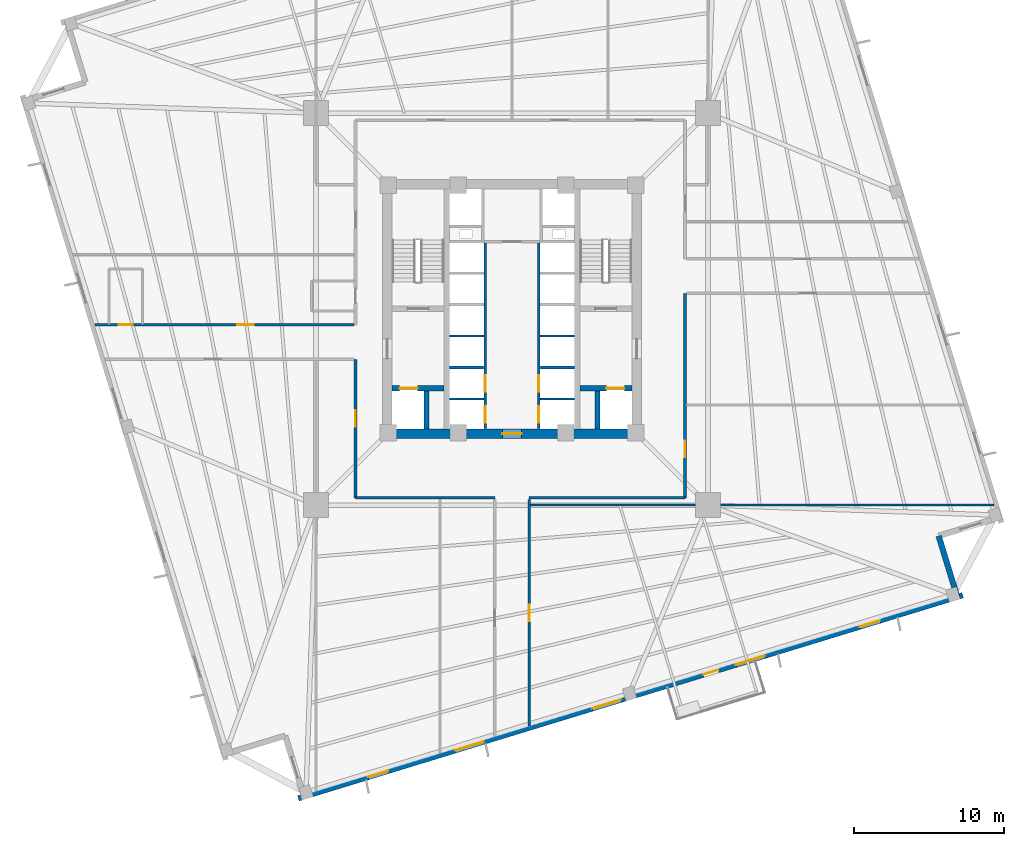
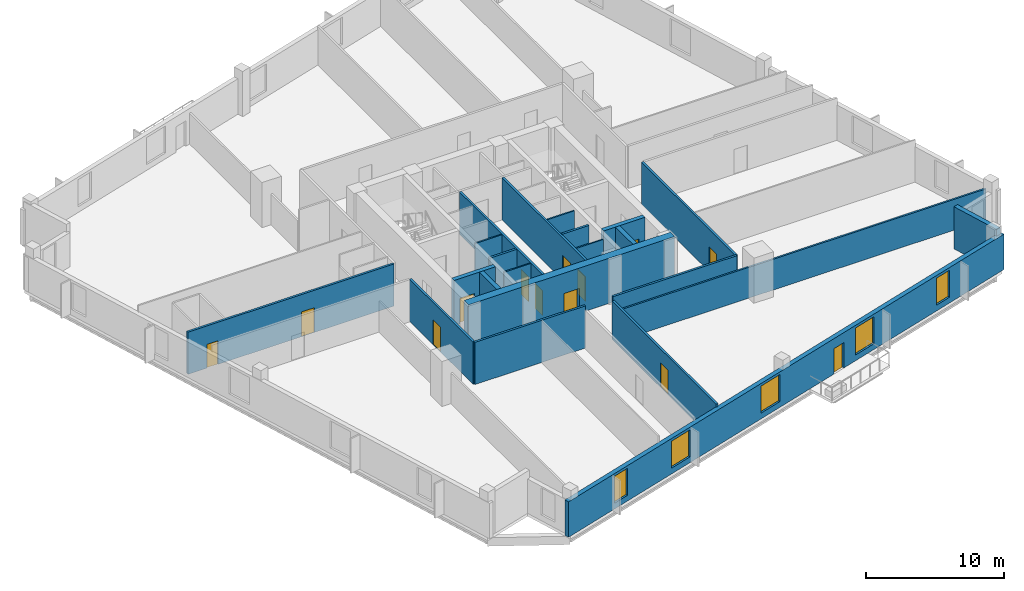
# One storey, part 3 of 8: 22 walls, 13 doors, 5 windows, 18 openings.
"""IFC4 building model written with IfcOpenShell, lengths in metres."""

from ifc_helpers import new_model, si_unit, direction, frame, frame_2d, origin, place, context, subcontext, project, spatial, rectangle, extrude, source, transform, mapped, material, layer, layer_set, type_object, element, fill, save


model = new_model("IFC4")

# Units and contexts
model_context = context("Model", 3, precision=1e-05, world=origin(), true_north=direction((0.0, 1.0)))
body_context = subcontext(model_context, "Body", "Model", "MODEL_VIEW")
ifc_project = project(units=[si_unit("LENGTHUNIT", "METRE"), si_unit("AREAUNIT", "SQUARE_METRE"), si_unit("VOLUMEUNIT", "CUBIC_METRE"), si_unit("PLANEANGLEUNIT", "RADIAN"), si_unit("MASSUNIT", "GRAM", prefix="KILO"), si_unit("THERMODYNAMICTEMPERATUREUNIT", "KELVIN")], contexts=[model_context])

# Site, building, storey
site_placement = place(None, origin())
site = spatial("IfcSite", under=ifc_project, at=site_placement, CompositionType="ELEMENT")
building_placement = place(site_placement, origin())
building = spatial("IfcBuilding", under=site, at=building_placement, Name="Kosmvard Interchange Tower", CompositionType="ELEMENT")
storey_placement = place(building_placement, frame((0.0, 0.0, 123.199951171875)))
storey = spatial("IfcBuildingStorey", under=building, at=storey_placement, Name="L29", CompositionType="ELEMENT", Elevation=123.199951171875)

# Wall
ifc_material_1 = material(Name="Acoustic gypsum partition system")
ifc_layer_1 = layer(ifc_material_1, 0.14990234375, Name="Acoustic gypsum partition system")
ifc_layer_set_1 = layer_set([ifc_layer_1], Name="Acoustic gypsum partition system")
wall_type_1 = type_object("IfcWallType", Name="Acoustic Suite & Meeting Partition 150", PredefinedType="PARTITIONING", material=ifc_layer_set_1)
wall_1_placement = place(storey_placement, frame((1.2451171875, -13.0810546875, 0.0), z_axis=(0.0, 0.0, 1.0), x_axis=(1.0, 0.0, 0.0)))
element("IfcWall", 1, at=wall_1_placement, inside=storey, type_object=wall_type_1, Name="L29 Room Partition 09.1", PredefinedType="PARTITIONING", context=body_context, shape_type="SweptSolid", body=[
    extrude(rectangle(XDim=30.919921875, YDim=0.14990234375, at=frame_2d((15.4599609375, 0.0))), origin(), (0.0, 0.0, 1.0), 2.73193359375),
])

# Wall, openings, doors
ifc_material_2 = material(Name="Fire-rated gypsum partition system")
ifc_layer_2 = layer(ifc_material_2, 0.179931640625, Name="Fire-rated gypsum partition system")
ifc_layer_set_2 = layer_set([ifc_layer_2], Name="Fire-rated gypsum partition system")
wall_type_2 = type_object("IfcWallType", Name="Corridor & Hotel Compartment Partition 180", PredefinedType="PARTITIONING", material=ifc_layer_set_2)
wall_2_placement = place(storey_placement, frame((-1.7900390625, -7.97998046875, 0.0), z_axis=(0.0, 0.0, 1.0), x_axis=(0.0, 1.0, 0.0)))
wall_2 = element("IfcWall", 2, at=wall_2_placement, inside=storey, type_object=wall_type_2, Name="L29 West Lift Bank Front Wall", PredefinedType="PARTITIONING", context=body_context, shape_type="SweptSolid", body=[
    extrude(rectangle(XDim=12.3798828125, YDim=0.179931640625, at=frame_2d((6.18994140625, 0.0))), origin(), (0.0, 0.0, 1.0), 3.739990234375),
])
opening_1_placement = place(wall_2_placement, frame((0.39990234375, 0.0, 0.0)))
opening_1 = element("IfcOpeningElement", 3, at=opening_1_placement, cuts=wall_2, Name="Opening LD-PL-L1-L29", PredefinedType="OPENING", context=body_context, shape_type="SweptSolid", body=[
    extrude(rectangle(XDim=1.10009765625, YDim=2.199951171875, at=frame_2d((0.550048828125, 1.10009765625))), frame((0.0, 0.10009765625, 0.0), z_axis=(0.0, -1.0, 0.0), x_axis=(1.0, 0.0, 0.0)), (0.0, 0.0, 1.0), 0.199951171875),
])
opening_2_placement = place(wall_2_placement, frame((2.4599609375, 0.0, 0.0)))
opening_2 = element("IfcOpeningElement", 4, at=opening_2_placement, cuts=wall_2, Name="Opening LD-PL-L2-L29", PredefinedType="OPENING", context=body_context, shape_type="SweptSolid", body=[
    extrude(rectangle(XDim=1.10009765625, YDim=2.199951171875, at=frame_2d((0.550048828125, 1.10009765625))), frame((0.0, 0.10009765625, 0.0), z_axis=(0.0, -1.0, 0.0), x_axis=(1.0, 0.0, 0.0)), (0.0, 0.0, 1.0), 0.199951171875),
])
ifc_material_3 = material(Name="Brushed stainless steel sliding leaf", Category="steel")
door_type_1 = type_object("IfcDoorType", Name="Passenger Lift Sliding Landing Door 1100x2200 EI60", OperationType="DOUBLE_DOOR_SLIDING", PredefinedType="DOOR", material=ifc_material_3)
shared_shape_1 = source(origin(), body_context, "Body", "SweptSolid", [
    extrude(rectangle(XDim=1.10009765625, YDim=2.199951171875, at=frame_2d((0.550048828125, 1.10009765625))), frame((0.0, 0.02490234375, 0.0), z_axis=(0.0, -1.0, 0.0), x_axis=(1.0, 0.0, 0.0)), (0.0, 0.0, 1.0), 0.050048828125),
])
door_1_placement = place(opening_1_placement, frame((1.10009765625, 0.0, 0.0), z_axis=(0.0, 0.0, 1.0), x_axis=(-1.0, 0.0, 0.0)))
door_1 = element("IfcDoor", 5, at=door_1_placement, inside=storey, type_object=door_type_1, Name="Lift PL-L1 Landing Door L29", OperationType="DOUBLE_DOOR_SLIDING", OverallHeight=2.199951171875, OverallWidth=1.10009765625, PredefinedType="DOOR", context=body_context, shape_type="MappedRepresentation", body=[
    mapped(shared_shape_1, transform((0.0, 0.0, 0.0), scale=1.0)),
])
fill(opening_1, door_1)
door_2_placement = place(opening_2_placement, frame((1.10009765625, 0.0, 0.0), z_axis=(0.0, 0.0, 1.0), x_axis=(-1.0, 0.0, 0.0)))
door_2 = element("IfcDoor", 6, at=door_2_placement, inside=storey, type_object=door_type_1, Name="Lift PL-L2 Landing Door L29", OperationType="DOUBLE_DOOR_SLIDING", OverallHeight=2.199951171875, OverallWidth=1.10009765625, PredefinedType="DOOR", context=body_context, shape_type="MappedRepresentation", body=[
    mapped(shared_shape_1, transform((0.0, 0.0, 0.0), scale=1.0)),
])
fill(opening_2, door_2)

wall_3_placement = place(storey_placement, frame((1.7900390625, -7.97998046875, 0.0), z_axis=(0.0, 0.0, 1.0), x_axis=(0.0, 1.0, 0.0)))
wall_3 = element("IfcWall", 7, at=wall_3_placement, inside=storey, type_object=wall_type_2, Name="L29 East Lift Bank Front Wall", PredefinedType="PARTITIONING", context=body_context, shape_type="SweptSolid", body=[
    extrude(rectangle(XDim=12.3798828125, YDim=0.179931640625, at=frame_2d((6.18994140625, 0.0))), origin(), (0.0, 0.0, 1.0), 3.739990234375),
])
opening_3_placement = place(wall_3_placement, frame((0.39990234375, 0.0, 0.0)))
opening_3 = element("IfcOpeningElement", 8, at=opening_3_placement, cuts=wall_3, Name="Opening LD-PL-L3-L29", PredefinedType="OPENING", context=body_context, shape_type="SweptSolid", body=[
    extrude(rectangle(XDim=1.10009765625, YDim=2.199951171875, at=frame_2d((0.550048828125, 1.10009765625))), frame((0.0, 0.10009765625, 0.0), z_axis=(0.0, -1.0, 0.0), x_axis=(1.0, 0.0, 0.0)), (0.0, 0.0, 1.0), 0.199951171875),
])
opening_4_placement = place(wall_3_placement, frame((2.4599609375, 0.0, 0.0)))
opening_4 = element("IfcOpeningElement", 9, at=opening_4_placement, cuts=wall_3, Name="Opening LD-PL-L4-L29", PredefinedType="OPENING", context=body_context, shape_type="SweptSolid", body=[
    extrude(rectangle(XDim=1.10009765625, YDim=2.199951171875, at=frame_2d((0.550048828125, 1.10009765625))), frame((0.0, 0.10009765625, 0.0), z_axis=(0.0, -1.0, 0.0), x_axis=(1.0, 0.0, 0.0)), (0.0, 0.0, 1.0), 0.199951171875),
])
door_3_placement = place(opening_3_placement, origin())
door_3 = element("IfcDoor", 10, at=door_3_placement, inside=storey, type_object=door_type_1, Name="Lift PL-L3 Landing Door L29", OperationType="DOUBLE_DOOR_SLIDING", OverallHeight=2.199951171875, OverallWidth=1.10009765625, PredefinedType="DOOR", context=body_context, shape_type="MappedRepresentation", body=[
    mapped(shared_shape_1, transform((0.0, 0.0, 0.0), scale=1.0)),
])
fill(opening_3, door_3)
door_4_placement = place(opening_4_placement, origin())
door_4 = element("IfcDoor", 11, at=door_4_placement, inside=storey, type_object=door_type_1, Name="Lift PL-L4 Landing Door L29", OperationType="DOUBLE_DOOR_SLIDING", OverallHeight=2.199951171875, OverallWidth=1.10009765625, PredefinedType="DOOR", context=body_context, shape_type="MappedRepresentation", body=[
    mapped(shared_shape_1, transform((0.0, 0.0, 0.0), scale=1.0)),
])
fill(opening_4, door_4)

# Walls
wall_4_placement = place(storey_placement, frame((-10.449951171875, -12.60009765625, 0.0), z_axis=(0.0, 0.0, 1.0), x_axis=(1.0, 0.0, 0.0)))
element("IfcWall", 12, at=wall_4_placement, inside=storey, type_object=wall_type_2, Name="L29 Corridor Wall CSW", PredefinedType="PARTITIONING", context=body_context, shape_type="SweptSolid", body=[
    extrude(rectangle(XDim=9.300048828125, YDim=0.179931640625, at=frame_2d((4.64990234375, 0.0))), origin(), (0.0, 0.0, 1.0), 3.739990234375),
])
wall_5_placement = place(storey_placement, frame((1.14990234375, -12.60009765625, 0.0), z_axis=(0.0, 0.0, 1.0), x_axis=(1.0, 0.0, 0.0)))
element("IfcWall", 13, at=wall_5_placement, inside=storey, type_object=wall_type_2, Name="L29 Corridor Wall CSE", PredefinedType="PARTITIONING", context=body_context, shape_type="SweptSolid", body=[
    extrude(rectangle(XDim=10.400146484375, YDim=0.179931640625, at=frame_2d((5.2001953125, 0.0))), origin(), (0.0, 0.0, 1.0), 3.739990234375),
])

# Wall, opening, door
wall_6_placement = place(storey_placement, frame((-10.449951171875, -12.60009765625, 0.0), z_axis=(0.0, 0.0, 1.0), x_axis=(0.0, 1.0, 0.0)))
wall_6 = element("IfcWall", 14, at=wall_6_placement, inside=storey, type_object=wall_type_2, Name="L29 Corridor Wall CWS", PredefinedType="PARTITIONING", context=body_context, shape_type="SweptSolid", body=[
    extrude(rectangle(XDim=9.25, YDim=0.179931640625, at=frame_2d((4.625, 0.0))), origin(), (0.0, 0.0, 1.0), 3.739990234375),
])
opening_5_placement = place(wall_6_placement, frame((4.735107421875, 0.0, 0.0)))
opening_5 = element("IfcOpeningElement", 15, at=opening_5_placement, cuts=wall_6, Name="Opening L29-D14", PredefinedType="OPENING", context=body_context, shape_type="SweptSolid", body=[
    extrude(rectangle(XDim=1.10009765625, YDim=2.199951171875, at=frame_2d((0.550048828125, 1.10009765625))), frame((0.0, 0.10009765625, 0.0), z_axis=(0.0, -1.0, 0.0), x_axis=(1.0, 0.0, 0.0)), (0.0, 0.0, 1.0), 0.199951171875),
])
ifc_material_4 = material(Name="Engineered oak fire-rated timber", Category="wood")
door_type_2 = type_object("IfcDoorType", Name="Office Suite Entrance Door 1100x2200 FD30S", OperationType="NOTDEFINED", PredefinedType="DOOR", material=ifc_material_4)
door_5_placement = place(opening_5_placement, origin())
door_5 = element("IfcDoor", 16, at=door_5_placement, inside=storey, type_object=door_type_2, Name="L29 Staff Pantry Door", OperationType="SINGLE_SWING_RIGHT", OverallHeight=2.199951171875, OverallWidth=1.10009765625, PredefinedType="DOOR", context=body_context, shape_type="MappedRepresentation", body=[
    mapped(shared_shape_1, transform((0.0, 0.0, 0.0), scale=1.0)),
])
fill(opening_5, door_5)

wall_7_placement = place(storey_placement, frame((11.550048828125, -12.60009765625, 0.0), z_axis=(0.0, 0.0, 1.0), x_axis=(0.0, 1.0, 0.0)))
wall_7 = element("IfcWall", 17, at=wall_7_placement, inside=storey, type_object=wall_type_2, Name="L29 Corridor Wall CES", PredefinedType="PARTITIONING", context=body_context, shape_type="SweptSolid", body=[
    extrude(rectangle(XDim=13.650146484375, YDim=0.179931640625, at=frame_2d((6.8251953125, 0.0))), origin(), (0.0, 0.0, 1.0), 3.739990234375),
])
opening_6_placement = place(wall_7_placement, frame((2.71435546875, 0.0, 0.0)))
opening_6 = element("IfcOpeningElement", 18, at=opening_6_placement, cuts=wall_7, Name="Opening L29-D11", PredefinedType="OPENING", context=body_context, shape_type="SweptSolid", body=[
    extrude(rectangle(XDim=1.10009765625, YDim=2.199951171875, at=frame_2d((0.550048828125, 1.10009765625))), frame((0.0, 0.10009765625, 0.0), z_axis=(0.0, -1.0, 0.0), x_axis=(1.0, 0.0, 0.0)), (0.0, 0.0, 1.0), 0.199951171875),
])
door_6_placement = place(opening_6_placement, frame((1.10009765625, 0.0, 0.0), z_axis=(0.0, 0.0, 1.0), x_axis=(-1.0, 0.0, 0.0)))
door_6 = element("IfcDoor", 19, at=door_6_placement, inside=storey, type_object=door_type_2, Name="L29 East Hearing Room 4 Door", OperationType="SINGLE_SWING_LEFT", OverallHeight=2.199951171875, OverallWidth=1.10009765625, PredefinedType="DOOR", context=body_context, shape_type="MappedRepresentation", body=[
    mapped(shared_shape_1, transform((0.0, 0.0, 0.0), scale=1.0)),
])
fill(opening_6, door_6)

# Wall, openings, doors
wall_8_placement = place(storey_placement, frame((-27.8447265625, -1.050048828125, 0.0), z_axis=(0.0, 0.0, 1.0), x_axis=(1.0, 0.0, 0.0)))
wall_8 = element("IfcWall", 20, at=wall_8_placement, inside=storey, type_object=wall_type_2, Name="L29 Corridor Wall SWN", PredefinedType="PARTITIONING", context=body_context, shape_type="SweptSolid", body=[
    extrude(rectangle(XDim=17.294677734375, YDim=0.179931640625, at=frame_2d((8.6474609375, 0.0))), origin(), (0.0, 0.0, 1.0), 3.739990234375),
])
opening_7_placement = place(wall_8_placement, frame((1.580078125, 0.0, 0.0)))
opening_7 = element("IfcOpeningElement", 21, at=opening_7_placement, cuts=wall_8, Name="Opening L29-D02", PredefinedType="OPENING", context=body_context, shape_type="SweptSolid", body=[
    extrude(rectangle(XDim=0.949951171875, YDim=2.10009765625, at=frame_2d((0.47509765625, 1.050048828125))), frame((0.0, 0.10009765625, 0.0), z_axis=(0.0, -1.0, 0.0), x_axis=(1.0, 0.0, 0.0)), (0.0, 0.0, 1.0), 0.199951171875),
])
opening_8_placement = place(wall_8_placement, frame((9.516845703125, 0.0, 0.0)))
opening_8 = element("IfcOpeningElement", 22, at=opening_8_placement, cuts=wall_8, Name="Opening L29-D03", PredefinedType="OPENING", context=body_context, shape_type="SweptSolid", body=[
    extrude(rectangle(XDim=1.10009765625, YDim=2.199951171875, at=frame_2d((0.550048828125, 1.10009765625))), frame((0.0, 0.10009765625, 0.0), z_axis=(0.0, -1.0, 0.0), x_axis=(1.0, 0.0, 0.0)), (0.0, 0.0, 1.0), 0.199951171875),
])
ifc_material_5 = material(Name="Laminated moisture-resistant timber", Category="wood")
door_type_3 = type_object("IfcDoorType", Name="Accessible Washroom Door 950x2100", OperationType="NOTDEFINED", PredefinedType="DOOR", material=ifc_material_5)
shared_shape_2 = source(origin(), body_context, "Body", "SweptSolid", [
    extrude(rectangle(XDim=0.949951171875, YDim=2.10009765625, at=frame_2d((0.47509765625, 1.050048828125))), frame((0.0, 0.02490234375, 0.0), z_axis=(0.0, -1.0, 0.0), x_axis=(1.0, 0.0, 0.0)), (0.0, 0.0, 1.0), 0.050048828125),
])
door_7_placement = place(opening_7_placement, origin())
door_7 = element("IfcDoor", 23, at=door_7_placement, inside=storey, type_object=door_type_3, Name="L29 Public Floor Washroom Door", OperationType="SINGLE_SWING_RIGHT", OverallHeight=2.10009765625, OverallWidth=0.949951171875, PredefinedType="DOOR", context=body_context, shape_type="MappedRepresentation", body=[
    mapped(shared_shape_2, transform((0.0, 0.0, 0.0), scale=1.0)),
])
fill(opening_7, door_7)
door_8_placement = place(opening_8_placement, origin())
door_8 = element("IfcDoor", 24, at=door_8_placement, inside=storey, type_object=door_type_2, Name="L29 IT Staging Store Door", OperationType="SINGLE_SWING_LEFT", OverallHeight=2.199951171875, OverallWidth=1.10009765625, PredefinedType="DOOR", context=body_context, shape_type="MappedRepresentation", body=[
    mapped(shared_shape_1, transform((0.0, 0.0, 0.0), scale=1.0)),
])
fill(opening_8, door_8)

# Wall, opening, door
wall_9_placement = place(storey_placement, frame((1.14990234375, -27.814208984375, 0.0), z_axis=(0.0, 0.0, 1.0), x_axis=(0.0, 1.0, 0.0)))
wall_9 = element("IfcWall", 25, at=wall_9_placement, inside=storey, type_object=wall_type_2, Name="L29 Corridor Wall SSE", PredefinedType="PARTITIONING", context=body_context, shape_type="SweptSolid", body=[
    extrude(rectangle(XDim=15.1142578125, YDim=0.179931640625, at=frame_2d((7.55712890625, 0.0))), origin(), (0.0, 0.0, 1.0), 3.41015625),
])
opening_9_placement = place(wall_9_placement, frame((6.98095703125, 0.0, 0.0)))
opening_9 = element("IfcOpeningElement", 26, at=opening_9_placement, cuts=wall_9, Name="Opening L29-D12", PredefinedType="OPENING", context=body_context, shape_type="SweptSolid", body=[
    extrude(rectangle(XDim=1.10009765625, YDim=2.199951171875, at=frame_2d((0.550048828125, 1.10009765625))), frame((0.0, 0.10009765625, 0.0), z_axis=(0.0, -1.0, 0.0), x_axis=(1.0, 0.0, 0.0)), (0.0, 0.0, 1.0), 0.199951171875),
])
door_9_placement = place(opening_9_placement, frame((1.10009765625, 0.0, 0.0), z_axis=(0.0, 0.0, 1.0), x_axis=(-1.0, 0.0, 0.0)))
door_9 = element("IfcDoor", 27, at=door_9_placement, inside=storey, type_object=door_type_2, Name="L29 South-East Boardroom 5 Door", OperationType="SINGLE_SWING_RIGHT", OverallHeight=2.199951171875, OverallWidth=1.10009765625, PredefinedType="DOOR", context=body_context, shape_type="MappedRepresentation", body=[
    mapped(shared_shape_1, transform((0.0, 0.0, 0.0), scale=1.0)),
])
fill(opening_9, door_9)

# Wall, openings, door, windows
ifc_material_6 = material(Name="Precast concrete C45/55", Category="concrete")
ifc_layer_3 = layer(ifc_material_6, 0.3798828125, Name="Precast concrete C45/55")
ifc_layer_set_3 = layer_set([ifc_layer_3], Name="Precast concrete C45/55")
wall_type_3 = type_object("IfcWallType", Name="Lower Tower Precast Pier Wall 380 C45/55", PredefinedType="STANDARD", material=ifc_layer_set_3)
wall_10_placement = place(storey_placement, frame((-14.26513671875, -32.65771484375, 0.0), z_axis=(0.0, 0.0, 1.0), x_axis=(0.956304320851, 0.292373127906, 0.0)))
wall_10 = element("IfcWall", 28, at=wall_10_placement, inside=storey, type_object=wall_type_3, Name="L29 Precast Facade Wall F-S", PredefinedType="STANDARD", context=body_context, shape_type="SweptSolid", body=[
    extrude(rectangle(XDim=46.380126953125, YDim=0.3798828125, at=frame_2d((23.18994140625, 0.0))), origin(), (0.0, 0.0, 1.0), 3.14013671875),
])
opening_10_placement = place(wall_10_placement, frame((28.264892578125, 0.0, 0.0)))
opening_10 = element("IfcOpeningElement", 29, at=opening_10_placement, cuts=wall_10, Name="Opening L29-BDW", PredefinedType="OPENING", context=body_context, shape_type="SweptSolid", body=[
    extrude(rectangle(XDim=1.050048828125, YDim=2.25, at=frame_2d((0.52490234375, 1.125))), frame((0.0, 0.199951171875, 0.0), z_axis=(0.0, -1.0, 0.0), x_axis=(1.0, 0.0, 0.0)), (0.0, 0.0, 1.0), 0.39990234375),
])
opening_11_placement = place(wall_10_placement, frame((4.865478515625, 0.0, 0.510009765625)))
opening_11 = element("IfcOpeningElement", 30, at=opening_11_placement, cuts=wall_10, Name="Opening L29-W01", PredefinedType="OPENING", context=body_context, shape_type="SweptSolid", body=[
    extrude(rectangle(XDim=1.39990234375, YDim=2.39990234375, at=frame_2d((0.699951171875, 1.199951171875))), frame((0.0, 0.199951171875, 0.0), z_axis=(0.0, -1.0, 0.0), x_axis=(1.0, 0.0, 0.0)), (0.0, 0.0, 1.0), 0.39990234375),
])
opening_12_placement = place(wall_10_placement, frame((10.9501953125, 0.0, 0.510009765625)))
opening_12 = element("IfcOpeningElement", 31, at=opening_12_placement, cuts=wall_10, Name="Opening L29-W02", PredefinedType="OPENING", context=body_context, shape_type="SweptSolid", body=[
    extrude(rectangle(XDim=2.0, YDim=2.39990234375, at=frame_2d((1.0, 1.199951171875))), frame((0.0, 0.199951171875, 0.0), z_axis=(0.0, -1.0, 0.0), x_axis=(1.0, 0.0, 0.0)), (0.0, 0.0, 1.0), 0.39990234375),
])
opening_13_placement = place(wall_10_placement, frame((20.512451171875, 0.0, 0.510009765625)))
opening_13 = element("IfcOpeningElement", 32, at=opening_13_placement, cuts=wall_10, Name="Opening L29-W03", PredefinedType="OPENING", context=body_context, shape_type="SweptSolid", body=[
    extrude(rectangle(XDim=2.0, YDim=2.39990234375, at=frame_2d((1.0, 1.199951171875))), frame((0.0, 0.199951171875, 0.0), z_axis=(0.0, -1.0, 0.0), x_axis=(1.0, 0.0, 0.0)), (0.0, 0.0, 1.0), 0.39990234375),
])
opening_14_placement = place(wall_10_placement, frame((30.538330078125, 0.0, 0.510009765625)))
opening_14 = element("IfcOpeningElement", 33, at=opening_14_placement, cuts=wall_10, Name="Opening L29-W04", PredefinedType="OPENING", context=body_context, shape_type="SweptSolid", body=[
    extrude(rectangle(XDim=2.0, YDim=2.39990234375, at=frame_2d((1.0, 1.199951171875))), frame((0.0, 0.199951171875, 0.0), z_axis=(0.0, -1.0, 0.0), x_axis=(1.0, 0.0, 0.0)), (0.0, 0.0, 1.0), 0.39990234375),
])
opening_15_placement = place(wall_10_placement, frame((39.186767578125, 0.0, 0.510009765625)))
opening_15 = element("IfcOpeningElement", 34, at=opening_15_placement, cuts=wall_10, Name="Opening L29-W05", PredefinedType="OPENING", context=body_context, shape_type="SweptSolid", body=[
    extrude(rectangle(XDim=1.39990234375, YDim=2.39990234375, at=frame_2d((0.699951171875, 1.199951171875))), frame((0.0, 0.199951171875, 0.0), z_axis=(0.0, -1.0, 0.0), x_axis=(1.0, 0.0, 0.0)), (0.0, 0.0, 1.0), 0.39990234375),
])
ifc_material_7 = material(Name="Anodised aluminium and safety glass", Category="aluminium")
door_type_4 = type_object("IfcDoorType", Name="Tree-Balcony Glazed Door 1050x2250", OperationType="NOTDEFINED", PredefinedType="DOOR", material=ifc_material_7)
shared_shape_3 = source(origin(), body_context, "Body", "SweptSolid", [
    extrude(rectangle(XDim=1.050048828125, YDim=2.25, at=frame_2d((0.52490234375, 1.125))), frame((0.0, 0.02490234375, 0.0), z_axis=(0.0, -1.0, 0.0), x_axis=(1.0, 0.0, 0.0)), (0.0, 0.0, 1.0), 0.050048828125),
])
door_10_placement = place(opening_10_placement, origin())
door_10 = element("IfcDoor", 35, at=door_10_placement, inside=storey, type_object=door_type_4, Name="L29 Tree-Balcony Door BAL-L29-SW", OperationType="SINGLE_SWING_RIGHT", OverallHeight=2.25, OverallWidth=1.050048828125, PredefinedType="DOOR", context=body_context, shape_type="MappedRepresentation", body=[
    mapped(shared_shape_3, transform((0.0, 0.0, 0.0), scale=1.0)),
])
fill(opening_10, door_10)
ifc_material_8 = material(Name="Low-E solar-control double glazing", Category="glass")
window_type_1 = type_object("IfcWindowType", Name="Notched Corner Feature Window 1400x2400", PartitioningType="SINGLE_PANEL", PredefinedType="WINDOW", material=ifc_material_8)
shared_shape_4 = source(origin(), body_context, "Body", "SweptSolid", [
    extrude(rectangle(XDim=1.39990234375, YDim=2.39990234375, at=frame_2d((0.699951171875, 1.199951171875))), frame((0.0, 0.030029296875, 0.0), z_axis=(0.0, -1.0, 0.0), x_axis=(1.0, 0.0, 0.0)), (0.0, 0.0, 1.0), 0.06005859375),
])
window_1_placement = place(opening_11_placement, origin())
window_1 = element("IfcWindow", 36, at=window_1_placement, inside=storey, type_object=window_type_1, Name="L29 Facade Punched Window 01", OverallHeight=2.39990234375, OverallWidth=1.39990234375, PartitioningType="SINGLE_PANEL", PredefinedType="WINDOW", context=body_context, shape_type="MappedRepresentation", body=[
    mapped(shared_shape_4, transform((0.0, 0.0, 0.0), scale=1.0)),
])
fill(opening_11, window_1)
window_2_placement = place(opening_15_placement, origin())
window_2 = element("IfcWindow", 37, at=window_2_placement, inside=storey, type_object=window_type_1, Name="L29 Facade Punched Window 05", OverallHeight=2.39990234375, OverallWidth=1.39990234375, PartitioningType="SINGLE_PANEL", PredefinedType="WINDOW", context=body_context, shape_type="MappedRepresentation", body=[
    mapped(shared_shape_4, transform((0.0, 0.0, 0.0), scale=1.0)),
])
fill(opening_15, window_2)
window_type_2 = type_object("IfcWindowType", Name="Zone 2 Office Punched Window 2000x2400", PartitioningType="SINGLE_PANEL", PredefinedType="WINDOW", material=ifc_material_8)
shared_shape_5 = source(origin(), body_context, "Body", "SweptSolid", [
    extrude(rectangle(XDim=2.0, YDim=2.39990234375, at=frame_2d((1.0, 1.199951171875))), frame((0.0, 0.030029296875, 0.0), z_axis=(0.0, -1.0, 0.0), x_axis=(1.0, 0.0, 0.0)), (0.0, 0.0, 1.0), 0.06005859375),
])
window_3_placement = place(opening_12_placement, origin())
window_3 = element("IfcWindow", 38, at=window_3_placement, inside=storey, type_object=window_type_2, Name="L29 Facade Punched Window 02", OverallHeight=2.39990234375, OverallWidth=2.0, PartitioningType="SINGLE_PANEL", PredefinedType="WINDOW", context=body_context, shape_type="MappedRepresentation", body=[
    mapped(shared_shape_5, transform((0.0, 0.0, 0.0), scale=1.0)),
])
fill(opening_12, window_3)
window_4_placement = place(opening_13_placement, origin())
window_4 = element("IfcWindow", 39, at=window_4_placement, inside=storey, type_object=window_type_2, Name="L29 Facade Punched Window 03", OverallHeight=2.39990234375, OverallWidth=2.0, PartitioningType="SINGLE_PANEL", PredefinedType="WINDOW", context=body_context, shape_type="MappedRepresentation", body=[
    mapped(shared_shape_5, transform((0.0, 0.0, 0.0), scale=1.0)),
])
fill(opening_13, window_4)
window_5_placement = place(opening_14_placement, origin())
window_5 = element("IfcWindow", 40, at=window_5_placement, inside=storey, type_object=window_type_2, Name="L29 Facade Punched Window 04", OverallHeight=2.39990234375, OverallWidth=2.0, PartitioningType="SINGLE_PANEL", PredefinedType="WINDOW", context=body_context, shape_type="MappedRepresentation", body=[
    mapped(shared_shape_5, transform((0.0, 0.0, 0.0), scale=1.0)),
])
fill(opening_14, window_5)

# Wall
wall_11_placement = place(storey_placement, frame((29.724853515625, -19.20849609375, 0.0), z_axis=(0.0, 0.0, 1.0), x_axis=(-0.292345507338, 0.956312764915, 0.0)))
element("IfcWall", 41, at=wall_11_placement, inside=storey, type_object=wall_type_3, Name="L29 Precast Facade Wall N-SE1", PredefinedType="STANDARD", context=body_context, shape_type="SweptSolid", body=[
    extrude(rectangle(XDim=4.249755859375, YDim=0.3798828125, at=frame_2d((2.125, 0.0))), origin(), (0.0, 0.0, 1.0), 3.739990234375),
])

# Wall, opening, door
ifc_material_9 = material(Name="Concrete C70/85", Category="concrete")
ifc_layer_4 = layer(ifc_material_9, 0.64990234375, Name="Concrete C70/85")
ifc_layer_set_4 = layer_set([ifc_layer_4], Name="Concrete C70/85")
wall_type_4 = type_object("IfcWallType", Name="Mid Core Shear Wall 650 C70/85", PredefinedType="SHEAR", material=ifc_layer_set_4)
wall_12_placement = place(storey_placement, frame((-8.64990234375, -8.324951171875, 0.0), z_axis=(0.0, 0.0, 1.0), x_axis=(1.0, 0.0, 0.0)))
wall_12 = element("IfcWall", 42, at=wall_12_placement, inside=storey, type_object=wall_type_4, Name="L29 Core Shear Wall CW-S", PredefinedType="SHEAR", context=body_context, shape_type="SweptSolid", body=[
    extrude(rectangle(XDim=17.2998046875, YDim=0.64990234375, at=frame_2d((8.64990234375, 0.0))), origin(), (0.0, 0.0, 1.0), 4.0),
])
opening_16_placement = place(wall_12_placement, frame((8.0, 0.0, 0.0)))
opening_16 = element("IfcOpeningElement", 43, at=opening_16_placement, cuts=wall_12, Name="Opening L29-LD0", PredefinedType="OPENING", context=body_context, shape_type="SweptSolid", body=[
    extrude(rectangle(XDim=1.300048828125, YDim=2.199951171875, at=frame_2d((0.64990234375, 1.10009765625))), frame((0.0, 0.3349609375, 0.0), z_axis=(0.0, -1.0, 0.0), x_axis=(1.0, 0.0, 0.0)), (0.0, 0.0, 1.0), 0.669921875),
])
ifc_material_10 = material(Name="Painted fire-rated steel leaf", Category="steel")
door_type_5 = type_object("IfcDoorType", Name="Firefighting Lobby Door 1300x2200 EI60", OperationType="NOTDEFINED", PredefinedType="DOOR", material=ifc_material_10)
shared_shape_6 = source(origin(), body_context, "Body", "SweptSolid", [
    extrude(rectangle(XDim=1.300048828125, YDim=2.199951171875, at=frame_2d((0.64990234375, 1.10009765625))), frame((0.0, 0.02490234375, 0.0), z_axis=(0.0, -1.0, 0.0), x_axis=(1.0, 0.0, 0.0)), (0.0, 0.0, 1.0), 0.050048828125),
])
door_11_placement = place(opening_16_placement, frame((1.300048828125, 0.0, 0.0), z_axis=(0.0, 0.0, 1.0), x_axis=(-1.0, 0.0, 0.0)))
door_11 = element("IfcDoor", 44, at=door_11_placement, inside=storey, type_object=door_type_5, Name="L29 Passenger Lift Lobby South Door", OperationType="SINGLE_SWING_RIGHT", OverallHeight=2.199951171875, OverallWidth=1.300048828125, PredefinedType="DOOR", context=body_context, shape_type="MappedRepresentation", body=[
    mapped(shared_shape_6, transform((0.0, 0.0, 0.0), scale=1.0)),
])
fill(opening_16, door_11)

# Walls
ifc_material_11 = material(Name="Concrete blockwork masonry", Category="masonry")
ifc_layer_5 = layer(ifc_material_11, 0.179931640625, Name="Concrete blockwork masonry")
ifc_layer_set_5 = layer_set([ifc_layer_5], Name="Concrete blockwork masonry")
wall_type_5 = type_object("IfcWallType", Name="Riser & Lift Bank Divider Wall 180", PredefinedType="PARTITIONING", material=ifc_layer_set_5)
for number, where, z_axis, x_axis, name in (
    (45, (-4.169921875, -3.89990234375, 0.0), (0.0, 0.0, 1.0), (1.0, 0.0, 0.0), "L29 West Bank Divider BD1"),
    (46, (1.889892578125, -3.89990234375, 0.0), (0.0, 0.0, 1.0), (1.0, 0.0, 0.0), "L29 East Bank Divider BD1"),
):
    element("IfcWall", number, at=place(storey_placement, frame(where, z_axis=z_axis, x_axis=x_axis)), inside=storey, type_object=wall_type_5, Name=name, PredefinedType="PARTITIONING", context=body_context, shape_type="SweptSolid", body=[
        extrude(rectangle(XDim=2.280029296875, YDim=0.179931640625, at=frame_2d((1.14013671875, 0.0))), origin(), (0.0, 0.0, 1.0), 3.739990234375),
    ])
ifc_material_12 = material(Name="Fire-rated gypsum shaftwall system")
ifc_layer_6 = layer(ifc_material_12, 0.1201171875, Name="Fire-rated gypsum shaftwall system")
ifc_layer_set_6 = layer_set([ifc_layer_6], Name="Fire-rated gypsum shaftwall system")
wall_type_6 = type_object("IfcWallType", Name="Shaft & Riser Fire Partition 120 EI60", PredefinedType="PARTITIONING", material=ifc_layer_set_6)
for number, where, z_axis, x_axis, name in (
    (47, (-4.159912109375, -6.0, 0.0), (0.0, 0.0, 1.0), (1.0, 0.0, 0.0), "L29 Shaft Divider PL-L1"),
    (48, (1.89990234375, -6.0, 0.0), (0.0, 0.0, 1.0), (1.0, 0.0, 0.0), "L29 Shaft Divider PL-L3"),
    (49, (-4.159912109375, -1.800048828125, 0.0), (0.0, 0.0, 1.0), (1.0, 0.0, 0.0), "L29 Shaft Divider PL-M1"),
    (50, (1.89990234375, -1.800048828125, 0.0), (0.0, 0.0, 1.0), (1.0, 0.0, 0.0), "L29 Shaft Divider PL-M3"),
):
    element("IfcWall", number, at=place(storey_placement, frame(where, z_axis=z_axis, x_axis=x_axis)), inside=storey, type_object=wall_type_6, Name=name, PredefinedType="PARTITIONING", context=body_context, shape_type="SweptSolid", body=[
        extrude(rectangle(XDim=2.260009765625, YDim=0.1201171875, at=frame_2d((1.1298828125, 0.0))), origin(), (0.0, 0.0, 1.0), 3.739990234375),
    ])

# Wall, opening, door
ifc_material_13 = material(Name="Concrete C60/75", Category="concrete")
ifc_layer_7 = layer(ifc_material_13, 0.360107421875, Name="Concrete C60/75")
ifc_layer_set_7 = layer_set([ifc_layer_7], Name="Concrete C60/75")
wall_type_7 = type_object("IfcWallType", Name="Stair & Lift Shaft Shear Wall 360 C60/75", PredefinedType="SHEAR", material=ifc_layer_set_7)
wall_13_placement = place(storey_placement, frame((-8.0, -5.280029296875, 0.0), z_axis=(0.0, 0.0, 1.0), x_axis=(1.0, 0.0, 0.0)))
wall_13 = element("IfcWall", 51, at=wall_13_placement, inside=storey, type_object=wall_type_7, Name="L29 Shaft Shear Wall SW-FF1", PredefinedType="SHEAR", context=body_context, shape_type="SweptSolid", body=[
    extrude(rectangle(XDim=3.4599609375, YDim=0.360107421875, at=frame_2d((1.72998046875, 0.0))), origin(), (0.0, 0.0, 1.0), 4.0),
])
opening_17_placement = place(wall_13_placement, frame((0.5, 0.0, 0.0)))
opening_17 = element("IfcOpeningElement", 52, at=opening_17_placement, cuts=wall_13, Name="Opening LD-FF-1-L29", PredefinedType="OPENING", context=body_context, shape_type="SweptSolid", body=[
    extrude(rectangle(XDim=1.199951171875, YDim=2.25, at=frame_2d((0.60009765625, 1.125))), frame((0.0, 0.18994140625, 0.0), z_axis=(0.0, -1.0, 0.0), x_axis=(1.0, 0.0, 0.0)), (0.0, 0.0, 1.0), 0.380126953125),
])
door_type_6 = type_object("IfcDoorType", Name="Firefighting Lift Sliding Landing Door 1200x2250 EI120", OperationType="DOUBLE_DOOR_SLIDING", PredefinedType="DOOR", material=ifc_material_3)
shared_shape_7 = source(origin(), body_context, "Body", "SweptSolid", [
    extrude(rectangle(XDim=1.199951171875, YDim=2.25, at=frame_2d((0.60009765625, 1.125))), frame((0.0, 0.02490234375, 0.0), z_axis=(0.0, -1.0, 0.0), x_axis=(1.0, 0.0, 0.0)), (0.0, 0.0, 1.0), 0.050048828125),
])
door_12_placement = place(opening_17_placement, origin())
door_12 = element("IfcDoor", 53, at=door_12_placement, inside=storey, type_object=door_type_6, Name="Lift FF-1 Landing Door L29", OperationType="DOUBLE_DOOR_SLIDING", OverallHeight=2.25, OverallWidth=1.199951171875, PredefinedType="DOOR", context=body_context, shape_type="MappedRepresentation", body=[
    mapped(shared_shape_7, transform((0.0, 0.0, 0.0), scale=1.0)),
])
fill(opening_17, door_12)

wall_14_placement = place(storey_placement, frame((4.5400390625, -5.280029296875, 0.0), z_axis=(0.0, 0.0, 1.0), x_axis=(1.0, 0.0, 0.0)))
wall_14 = element("IfcWall", 54, at=wall_14_placement, inside=storey, type_object=wall_type_7, Name="L29 Shaft Shear Wall SW-FF2", PredefinedType="SHEAR", context=body_context, shape_type="SweptSolid", body=[
    extrude(rectangle(XDim=3.4599609375, YDim=0.360107421875, at=frame_2d((1.72998046875, 0.0))), origin(), (0.0, 0.0, 1.0), 4.0),
])
opening_18_placement = place(wall_14_placement, frame((1.760009765625, 0.0, 0.0)))
opening_18 = element("IfcOpeningElement", 55, at=opening_18_placement, cuts=wall_14, Name="Opening LD-FF-2-L29", PredefinedType="OPENING", context=body_context, shape_type="SweptSolid", body=[
    extrude(rectangle(XDim=1.199951171875, YDim=2.25, at=frame_2d((0.60009765625, 1.125))), frame((0.0, 0.18994140625, 0.0), z_axis=(0.0, -1.0, 0.0), x_axis=(1.0, 0.0, 0.0)), (0.0, 0.0, 1.0), 0.380126953125),
])
door_13_placement = place(opening_18_placement, origin())
door_13 = element("IfcDoor", 56, at=door_13_placement, inside=storey, type_object=door_type_6, Name="Lift FF-2 Landing Door L29", OperationType="DOUBLE_DOOR_SLIDING", OverallHeight=2.25, OverallWidth=1.199951171875, PredefinedType="DOOR", context=body_context, shape_type="MappedRepresentation", body=[
    mapped(shared_shape_7, transform((0.0, 0.0, 0.0), scale=1.0)),
])
fill(opening_18, door_13)

# Walls
for number, where, z_axis, x_axis, name in (
    (57, (-5.7099609375, -8.0, 0.0), (0.0, 0.0, 1.0), (0.0, 1.0, 0.0), "L29 Shaft Shear Wall SW-SM1"),
    (58, (5.7099609375, -8.0, 0.0), (0.0, 0.0, 1.0), (0.0, 1.0, 0.0), "L29 Shaft Shear Wall SW-SM2"),
):
    element("IfcWall", number, at=place(storey_placement, frame(where, z_axis=z_axis, x_axis=x_axis)), inside=storey, type_object=wall_type_7, Name=name, PredefinedType="SHEAR", context=body_context, shape_type="SweptSolid", body=[
        extrude(rectangle(XDim=2.5400390625, YDim=0.360107421875, at=frame_2d((1.27001953125, 0.0))), origin(), (0.0, 0.0, 1.0), 4.0),
    ])

save(model, "model.ifc")
